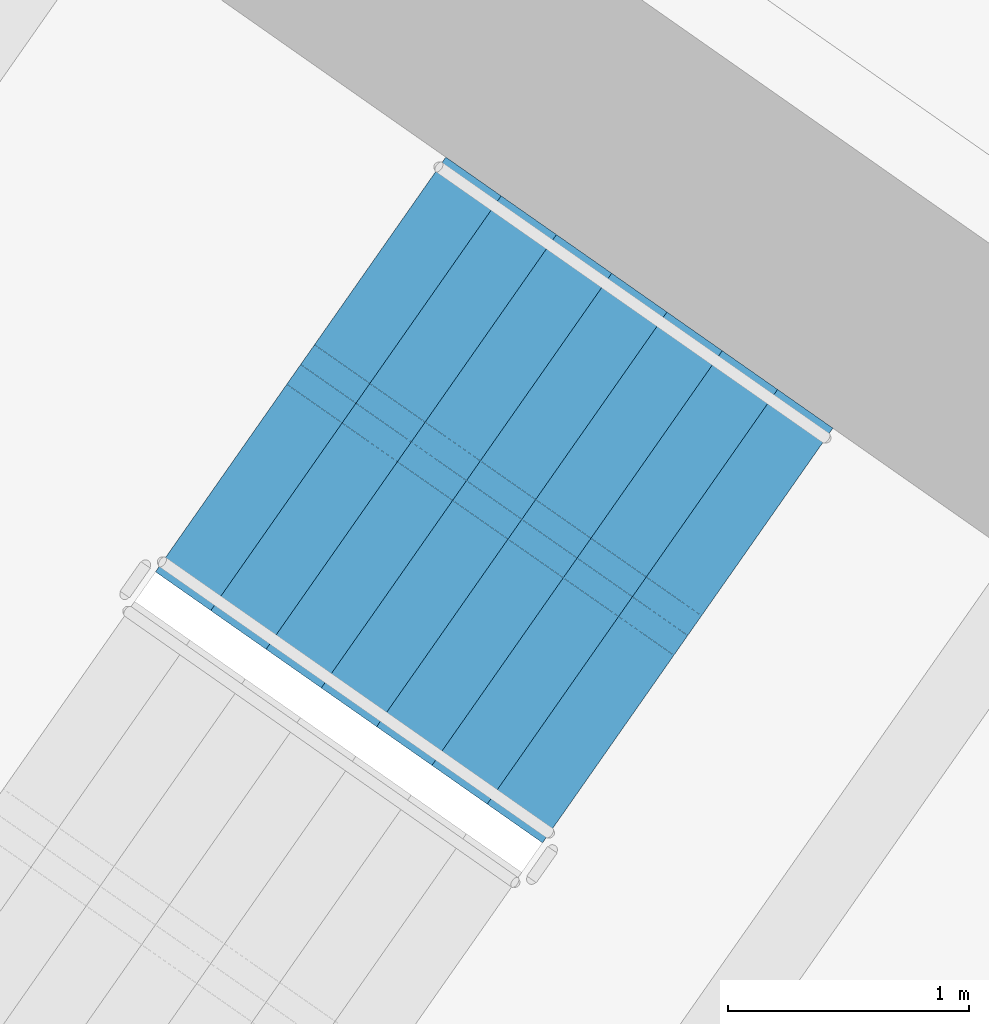
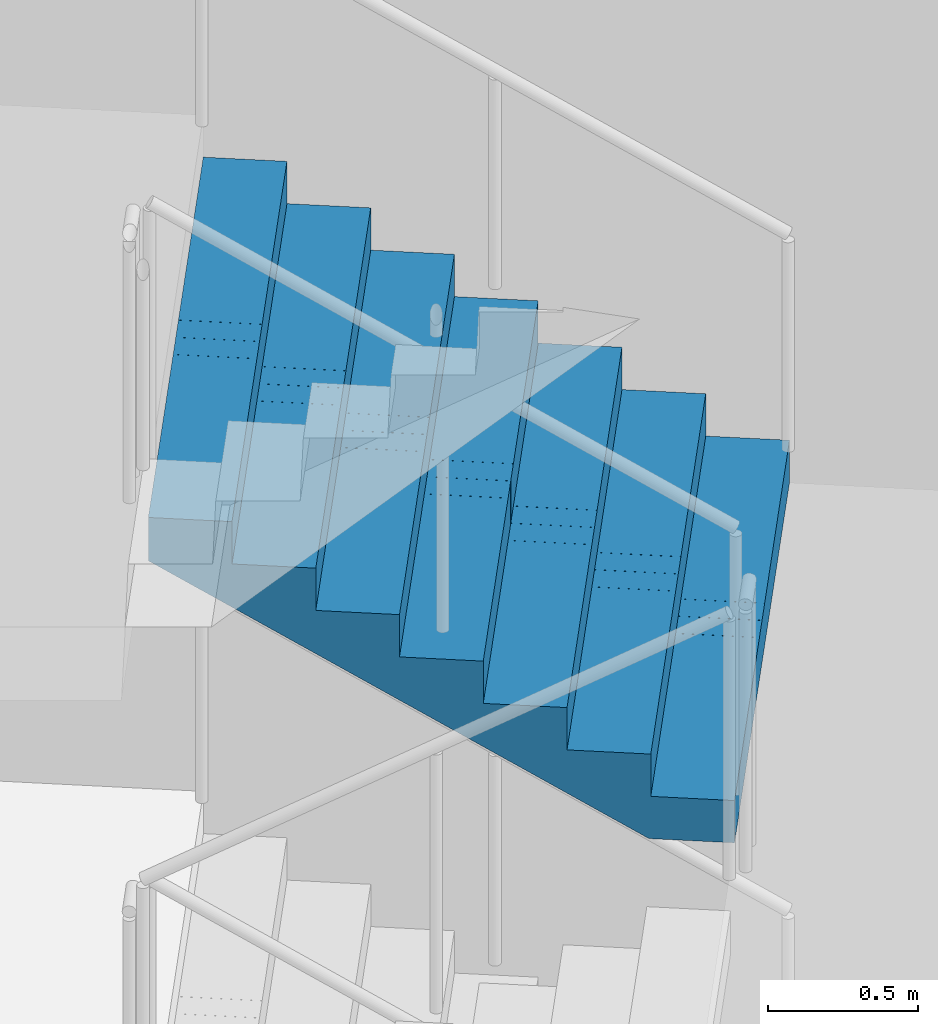
# One storey, part 17 of 26: 1 stair flight, 1 element without a shape of its own.
"""IFC4 building model written with IfcOpenShell, lengths in metres."""

from ifc_helpers import new_model, si_unit, direction, frame, origin, place, context, subcontext, project, spatial, polyline, outline, extrude, material, type_object, element, aggregate, save


model = new_model("IFC4")

# Units and contexts
model_context = context("Model", 3, precision=1e-05, world=origin(), true_north=direction((0.0, 1.0)))
body_context = subcontext(model_context, "Body", "Model", "MODEL_VIEW")
ifc_project = project(units=[si_unit("LENGTHUNIT", "METRE"), si_unit("AREAUNIT", "SQUARE_METRE"), si_unit("VOLUMEUNIT", "CUBIC_METRE"), si_unit("PLANEANGLEUNIT", "RADIAN"), si_unit("MASSUNIT", "GRAM", prefix="KILO")], contexts=[model_context])

# Site, building, storey
site_placement = place(None, origin())
site = spatial("IfcSite", under=ifc_project, at=site_placement, CompositionType="ELEMENT")
building_placement = place(site_placement, origin())
building = spatial("IfcBuilding", under=site, at=building_placement, Name="Tel Ilan Convention Tower", CompositionType="ELEMENT")
storey_placement = place(building_placement, frame((0.0, 0.0, 37.5)))
storey = spatial("IfcBuildingStorey", under=building, at=storey_placement, Name="L05", CompositionType="ELEMENT", Elevation=37.5)

# Stair, stair flight
ifc_material_1 = material(Name="Concrete C40/50", Category="concrete")
stair_type = type_object("IfcStairType", Name="Pressurised Exit Stair 32 risers 172 mm", PredefinedType="HALF_TURN_STAIR", material=ifc_material_1)
stair_placement = place(storey_placement, origin())
stair = element("IfcStair", 1, at=stair_placement, inside=storey, type_object=stair_type, Name="L05 Pressurised Stair S3", PredefinedType="HALF_TURN_STAIR")
ifc_material_2 = material(Name="Precast Concrete C40/50", Category="concrete")
stair_flight_type = type_object("IfcStairFlightType", Name="Concrete Stair Flight 2100 mm 32 risers 172 mm", PredefinedType="STRAIGHT", material=ifc_material_2)
stair_flight_placement = place(storey_placement, frame((24.25244140625, -7.032470703125, 2.75), z_axis=(0.0, 0.0, 1.0), x_axis=(-0.819152044289, 0.573576436351, 0.0)))
stair_flight = element("IfcStairFlight", 2, at=stair_flight_placement, type_object=stair_flight_type, Name="S3 flight 3", NumberOfRisers=8, NumberOfTreads=7, PredefinedType="STRAIGHT", RiserHeight=0.171875, TreadLength=0.28, context=body_context, shape_type="SweptSolid", body=[
    extrude(outline(polyline([(0.0, 0.0), (0.0, 0.171875), (0.280029296875, 0.171875), (0.280029296875, 0.34375), (0.56005859375, 0.34375), (0.56005859375, 0.515625), (0.840087890625, 0.515625), (0.840087890625, 0.6875), (1.1201171875, 0.6875), (1.1201171875, 0.859375), (1.39990234375, 0.859375), (1.39990234375, 1.03125), (1.679931640625, 1.03125), (1.679931640625, 1.203125), (1.9599609375, 1.203125), (1.9599609375, 1.375), (1.9599609375, 1.02734375), (0.28662109375, 0.0), (0.0, 0.0)])), frame((0.0, -0.100341796875, 0.0), z_axis=(0.0, -1.0, 0.0), x_axis=(1.0, 0.0, 0.0)), (0.0, 0.0, 1.0), 0.94970703125),
    extrude(outline(polyline([(0.0, 0.0), (0.0, 0.171875), (0.280029296875, 0.171875), (0.280029296875, 0.34375), (0.56005859375, 0.34375), (0.56005859375, 0.515625), (0.840087890625, 0.515625), (0.840087890625, 0.6875), (1.1201171875, 0.6875), (1.1201171875, 0.859375), (1.39990234375, 0.859375), (1.39990234375, 1.03125), (1.679931640625, 1.03125), (1.679931640625, 1.203125), (1.9599609375, 1.203125), (1.9599609375, 1.375), (1.9599609375, 1.02734375), (0.28662109375, 0.0), (0.0, 0.0)])), frame((0.0, -0.000244140625, 0.0), z_axis=(0.0, -1.0, 0.0), x_axis=(1.0, 0.0, 0.0)), (0.0, 0.0, 1.0), 0.099609375),
    extrude(outline(polyline([(0.0, 0.0), (0.0, 0.171875), (0.280029296875, 0.171875), (0.280029296875, 0.34375), (0.56005859375, 0.34375), (0.56005859375, 0.515625), (0.840087890625, 0.515625), (0.840087890625, 0.6875), (1.1201171875, 0.6875), (1.1201171875, 0.859375), (1.39990234375, 0.859375), (1.39990234375, 1.03125), (1.679931640625, 1.03125), (1.679931640625, 1.203125), (1.9599609375, 1.203125), (1.9599609375, 1.375), (1.9599609375, 1.02734375), (0.28662109375, 0.0), (0.0, 0.0)])), frame((0.0, 0.099853515625, 0.0), z_axis=(0.0, -1.0, 0.0), x_axis=(1.0, 0.0, 0.0)), (0.0, 0.0, 1.0), 0.099609375),
    extrude(outline(polyline([(0.0, 0.0), (0.0, 0.171875), (0.280029296875, 0.171875), (0.280029296875, 0.34375), (0.56005859375, 0.34375), (0.56005859375, 0.515625), (0.840087890625, 0.515625), (0.840087890625, 0.6875), (1.1201171875, 0.6875), (1.1201171875, 0.859375), (1.39990234375, 0.859375), (1.39990234375, 1.03125), (1.679931640625, 1.03125), (1.679931640625, 1.203125), (1.9599609375, 1.203125), (1.9599609375, 1.375), (1.9599609375, 1.02734375), (0.28662109375, 0.0), (0.0, 0.0)])), frame((0.0, 1.050048828125, 0.0), z_axis=(0.0, -1.0, 0.0), x_axis=(1.0, 0.0, 0.0)), (0.0, 0.0, 1.0), 0.94970703125),
])
aggregate(stair, [stair_flight])

save(model, "model.ifc")
